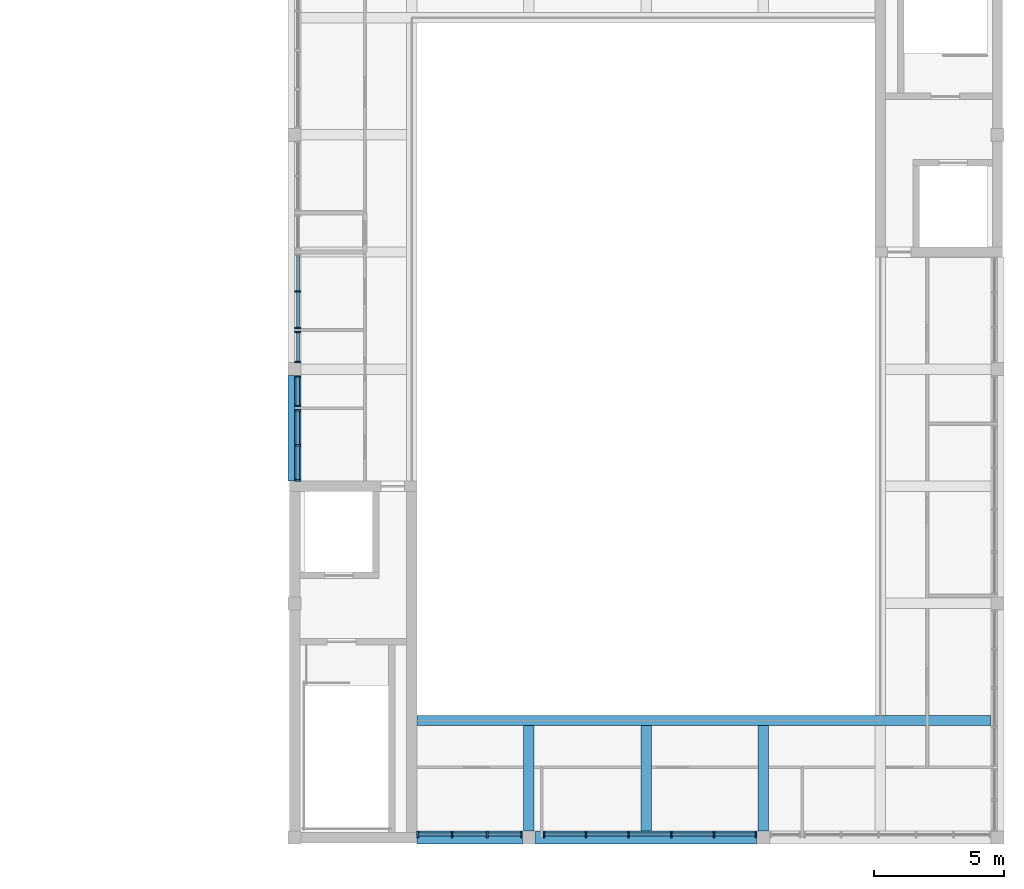
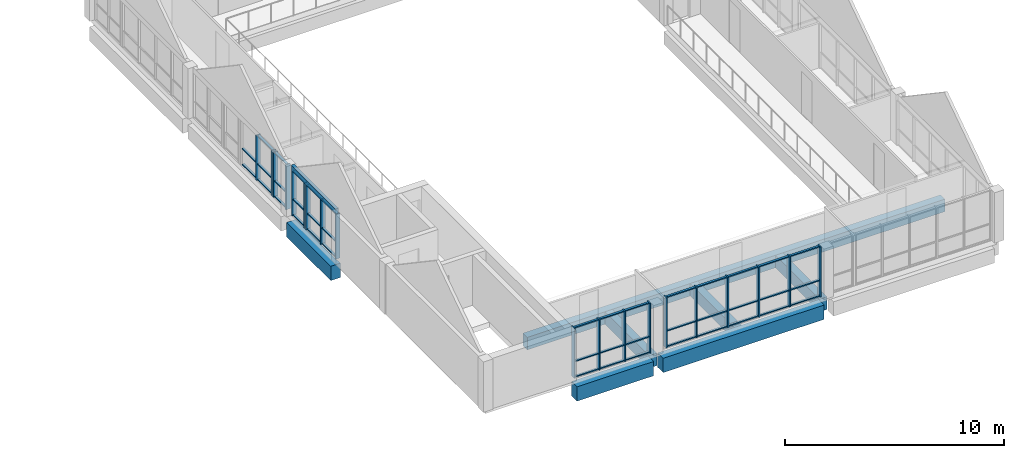
# One storey, part 3 of 50: 60 members, 8 beams, 6 elements without a shape of their own.
"""IFC4 building model written with IfcOpenShell, lengths in metres."""

from ifc_helpers import new_model, si_unit, direction, frame, origin, origin_2d, place, context, subcontext, project, spatial, rectangle, extrude, material, material_profile, profile_set, type_object, element, aggregate, save


model = new_model("IFC4")

# Units and contexts
model_context = context("Model", 3, precision=1e-05, world=origin(), true_north=direction((0.0, 1.0)))
body_context = subcontext(model_context, "Body", "Model", "MODEL_VIEW")
ifc_project = project(units=[si_unit("LENGTHUNIT", "METRE"), si_unit("AREAUNIT", "SQUARE_METRE"), si_unit("VOLUMEUNIT", "CUBIC_METRE"), si_unit("PLANEANGLEUNIT", "RADIAN"), si_unit("MASSUNIT", "GRAM", prefix="KILO")], contexts=[model_context])

# Site, building, storey
site_placement = place(None, origin())
site = spatial("IfcSite", under=ifc_project, at=site_placement, CompositionType="ELEMENT")
building_placement = place(site_placement, origin())
building = spatial("IfcBuilding", under=site, at=building_placement, Name="Merrow Basin Faculty of Sciences", CompositionType="ELEMENT")
storey_placement = place(building_placement, frame((0.0, 0.0, 18.0)))
storey = spatial("IfcBuildingStorey", under=building, at=storey_placement, Name="L04", CompositionType="ELEMENT", Elevation=18.0)

# Curtain wall, members
ifc_material_1 = material(Name="Aluminium alloy 6063", Category="aluminium")
curtain_wall_type = type_object("IfcCurtainWallType", Name="Atrium unitised curtain wall 240", PredefinedType="NOTDEFINED", material=ifc_material_1)
curtain_wall_1_placement = place(storey_placement, origin())
curtain_wall_1 = element("IfcCurtainWall", 1, at=curtain_wall_1_placement, inside=storey, type_object=curtain_wall_type, Name="W curtain wall L04 1", PredefinedType="NOTDEFINED")
ifc_material_2 = material(Name="Aluminium alloy 6063", Category="aluminium")
ifc_material_profile_1 = material_profile(ifc_material_2, rectangle(XDim=0.239990234375, YDim=0.06005859375, at=origin_2d()))
ifc_profile_set_1 = profile_set([ifc_material_profile_1], Name="Aluminium alloy 6063")
member_type_1 = type_object("IfcMemberType", Name="Aluminium mullion 60x240", PredefinedType="MULLION", material=ifc_profile_set_1)
member_1_placement = place(storey_placement, frame((45.1201171875, 13.72998046875, 0.0), z_axis=(0.0, 0.0, 1.0), x_axis=(-1.0, 0.0, 0.0)))
member_1 = element("IfcMember", 2, at=member_1_placement, type_object=member_type_1, Name="CW5 mullion 1", PredefinedType="MULLION", context=body_context, shape_type="SweptSolid", body=[
    extrude(rectangle(XDim=0.239990234375, YDim=0.06005859375, at=origin_2d()), origin(), (0.0, 0.0, 1.0), 2.512939453125),
])
member_2_placement = place(storey_placement, frame((45.1201171875, 15.074951171875, 0.0), z_axis=(0.0, 0.0, 1.0), x_axis=(-1.0, 0.0, 0.0)))
member_2 = element("IfcMember", 3, at=member_2_placement, type_object=member_type_1, Name="CW5 mullion 2", PredefinedType="MULLION", context=body_context, shape_type="SweptSolid", body=[
    extrude(rectangle(XDim=0.239990234375, YDim=0.06005859375, at=origin_2d()), origin(), (0.0, 0.0, 1.0), 2.512939453125),
])
member_3_placement = place(storey_placement, frame((45.1201171875, 16.419921875, 0.0), z_axis=(0.0, 0.0, 1.0), x_axis=(-1.0, 0.0, 0.0)))
member_3 = element("IfcMember", 4, at=member_3_placement, type_object=member_type_1, Name="CW5 mullion 3", PredefinedType="MULLION", context=body_context, shape_type="SweptSolid", body=[
    extrude(rectangle(XDim=0.239990234375, YDim=0.06005859375, at=origin_2d()), origin(), (0.0, 0.0, 1.0), 2.512939453125),
])

curtain_wall_2_placement = place(storey_placement, origin())
curtain_wall_2 = element("IfcCurtainWall", 5, at=curtain_wall_2_placement, inside=storey, type_object=curtain_wall_type, Name="W curtain wall L04 2", PredefinedType="NOTDEFINED")
member_4_placement = place(storey_placement, frame((45.1201171875, 16.580078125, 0.0), z_axis=(0.0, 0.0, 1.0), x_axis=(-1.0, 0.0, 0.0)))
member_4 = element("IfcMember", 6, at=member_4_placement, type_object=member_type_1, Name="CW5 mullion 1", PredefinedType="MULLION", context=body_context, shape_type="SweptSolid", body=[
    extrude(rectangle(XDim=0.239990234375, YDim=0.06005859375, at=origin_2d()), origin(), (0.0, 0.0, 1.0), 2.512939453125),
])
member_5_placement = place(storey_placement, frame((45.1201171875, 17.719970703125, 0.0), z_axis=(0.0, 0.0, 1.0), x_axis=(-1.0, 0.0, 0.0)))
member_5 = element("IfcMember", 7, at=member_5_placement, type_object=member_type_1, Name="CW5 mullion 2", PredefinedType="MULLION", context=body_context, shape_type="SweptSolid", body=[
    extrude(rectangle(XDim=0.239990234375, YDim=0.06005859375, at=origin_2d()), origin(), (0.0, 0.0, 1.0), 2.512939453125),
])

curtain_wall_3_placement = place(storey_placement, origin())
curtain_wall_3 = element("IfcCurtainWall", 8, at=curtain_wall_3_placement, inside=storey, type_object=curtain_wall_type, Name="W curtain wall L04 3", PredefinedType="NOTDEFINED")
member_6_placement = place(storey_placement, frame((45.1201171875, 18.280029296875, 0.0), z_axis=(0.0, 0.0, 1.0), x_axis=(-1.0, 0.0, 0.0)))
member_6 = element("IfcMember", 9, at=member_6_placement, type_object=member_type_1, Name="CW5 mullion 1", PredefinedType="MULLION", context=body_context, shape_type="SweptSolid", body=[
    extrude(rectangle(XDim=0.239990234375, YDim=0.06005859375, at=origin_2d()), origin(), (0.0, 0.0, 1.0), 2.512939453125),
])
member_7_placement = place(storey_placement, frame((45.1201171875, 19.419921875, 0.0), z_axis=(0.0, 0.0, 1.0), x_axis=(-1.0, 0.0, 0.0)))
member_7 = element("IfcMember", 10, at=member_7_placement, type_object=member_type_1, Name="CW5 mullion 2", PredefinedType="MULLION", context=body_context, shape_type="SweptSolid", body=[
    extrude(rectangle(XDim=0.239990234375, YDim=0.06005859375, at=origin_2d()), origin(), (0.0, 0.0, 1.0), 2.512939453125),
])

curtain_wall_4_placement = place(storey_placement, origin())
curtain_wall_4 = element("IfcCurtainWall", 11, at=curtain_wall_4_placement, inside=storey, type_object=curtain_wall_type, Name="W curtain wall L04 4", PredefinedType="NOTDEFINED")
member_8_placement = place(storey_placement, frame((45.1201171875, 19.580078125, 0.0), z_axis=(0.0, 0.0, 1.0), x_axis=(-1.0, 0.0, 0.0)))
member_8 = element("IfcMember", 12, at=member_8_placement, type_object=member_type_1, Name="CW5 mullion 1", PredefinedType="MULLION", context=body_context, shape_type="SweptSolid", body=[
    extrude(rectangle(XDim=0.239990234375, YDim=0.06005859375, at=origin_2d()), origin(), (0.0, 0.0, 1.0), 2.512939453125),
])
member_9_placement = place(storey_placement, frame((45.1201171875, 20.987548828125, 0.0), z_axis=(0.0, 0.0, 1.0), x_axis=(-1.0, 0.0, 0.0)))
member_9 = element("IfcMember", 13, at=member_9_placement, type_object=member_type_1, Name="CW5 mullion 2", PredefinedType="MULLION", context=body_context, shape_type="SweptSolid", body=[
    extrude(rectangle(XDim=0.239990234375, YDim=0.06005859375, at=origin_2d()), origin(), (0.0, 0.0, 1.0), 2.512939453125),
])

curtain_wall_5_placement = place(storey_placement, origin())
curtain_wall_5 = element("IfcCurtainWall", 14, at=curtain_wall_5_placement, inside=storey, type_object=curtain_wall_type, Name="S curtain wall L04 1", PredefinedType="NOTDEFINED")
member_10_placement = place(storey_placement, frame((49.72998046875, 0.1201171875, 0.0), z_axis=(0.0, 0.0, 1.0), x_axis=(0.0, 1.0, 0.0)))
member_10 = element("IfcMember", 15, at=member_10_placement, type_object=member_type_1, Name="CW5 mullion 1", PredefinedType="MULLION", context=body_context, shape_type="SweptSolid", body=[
    extrude(rectangle(XDim=0.239990234375, YDim=0.06005859375, at=origin_2d()), origin(), (0.0, 0.0, 1.0), 2.81298828125),
])
member_11_placement = place(storey_placement, frame((51.050048828125, 0.1201171875, 0.0), z_axis=(0.0, 0.0, 1.0), x_axis=(0.0, 1.0, 0.0)))
member_11 = element("IfcMember", 16, at=member_11_placement, type_object=member_type_1, Name="CW5 mullion 2", PredefinedType="MULLION", context=body_context, shape_type="SweptSolid", body=[
    extrude(rectangle(XDim=0.239990234375, YDim=0.06005859375, at=origin_2d()), origin(), (0.0, 0.0, 1.0), 2.81298828125),
])
member_12_placement = place(storey_placement, frame((52.39990234375, 0.1201171875, 0.0), z_axis=(0.0, 0.0, 1.0), x_axis=(0.0, 1.0, 0.0)))
member_12 = element("IfcMember", 17, at=member_12_placement, type_object=member_type_1, Name="CW5 mullion 3", PredefinedType="MULLION", context=body_context, shape_type="SweptSolid", body=[
    extrude(rectangle(XDim=0.239990234375, YDim=0.06005859375, at=origin_2d()), origin(), (0.0, 0.0, 1.0), 2.81298828125),
])
member_13_placement = place(storey_placement, frame((53.719970703125, 0.1201171875, 0.0), z_axis=(0.0, 0.0, 1.0), x_axis=(0.0, 1.0, 0.0)))
member_13 = element("IfcMember", 18, at=member_13_placement, type_object=member_type_1, Name="CW5 mullion 4", PredefinedType="MULLION", context=body_context, shape_type="SweptSolid", body=[
    extrude(rectangle(XDim=0.239990234375, YDim=0.06005859375, at=origin_2d()), origin(), (0.0, 0.0, 1.0), 2.81298828125),
])

curtain_wall_6_placement = place(storey_placement, origin())
curtain_wall_6 = element("IfcCurtainWall", 19, at=curtain_wall_6_placement, inside=storey, type_object=curtain_wall_type, Name="S curtain wall L04 2", PredefinedType="NOTDEFINED")
member_14_placement = place(storey_placement, frame((54.580078125, 0.1201171875, 0.0), z_axis=(0.0, 0.0, 1.0), x_axis=(0.0, 1.0, 0.0)))
member_14 = element("IfcMember", 20, at=member_14_placement, type_object=member_type_1, Name="CW5 mullion 1", PredefinedType="MULLION", context=body_context, shape_type="SweptSolid", body=[
    extrude(rectangle(XDim=0.239990234375, YDim=0.06005859375, at=origin_2d()), origin(), (0.0, 0.0, 1.0), 2.81298828125),
])
member_15_placement = place(storey_placement, frame((56.18994140625, 0.1201171875, 0.0), z_axis=(0.0, 0.0, 1.0), x_axis=(0.0, 1.0, 0.0)))
member_15 = element("IfcMember", 21, at=member_15_placement, type_object=member_type_1, Name="CW5 mullion 2", PredefinedType="MULLION", context=body_context, shape_type="SweptSolid", body=[
    extrude(rectangle(XDim=0.239990234375, YDim=0.06005859375, at=origin_2d()), origin(), (0.0, 0.0, 1.0), 2.81298828125),
])
member_16_placement = place(storey_placement, frame((57.830078125, 0.1201171875, 0.0), z_axis=(0.0, 0.0, 1.0), x_axis=(0.0, 1.0, 0.0)))
member_16 = element("IfcMember", 22, at=member_16_placement, type_object=member_type_1, Name="CW5 mullion 3", PredefinedType="MULLION", context=body_context, shape_type="SweptSolid", body=[
    extrude(rectangle(XDim=0.239990234375, YDim=0.06005859375, at=origin_2d()), origin(), (0.0, 0.0, 1.0), 2.81298828125),
])
member_17_placement = place(storey_placement, frame((59.469970703125, 0.1201171875, 0.0), z_axis=(0.0, 0.0, 1.0), x_axis=(0.0, 1.0, 0.0)))
member_17 = element("IfcMember", 23, at=member_17_placement, type_object=member_type_1, Name="CW5 mullion 4", PredefinedType="MULLION", context=body_context, shape_type="SweptSolid", body=[
    extrude(rectangle(XDim=0.239990234375, YDim=0.06005859375, at=origin_2d()), origin(), (0.0, 0.0, 1.0), 2.81298828125),
])
member_18_placement = place(storey_placement, frame((61.110107421875, 0.1201171875, 0.0), z_axis=(0.0, 0.0, 1.0), x_axis=(0.0, 1.0, 0.0)))
member_18 = element("IfcMember", 24, at=member_18_placement, type_object=member_type_1, Name="CW5 mullion 5", PredefinedType="MULLION", context=body_context, shape_type="SweptSolid", body=[
    extrude(rectangle(XDim=0.239990234375, YDim=0.06005859375, at=origin_2d()), origin(), (0.0, 0.0, 1.0), 2.81298828125),
])
member_19_placement = place(storey_placement, frame((62.719970703125, 0.1201171875, 0.0), z_axis=(0.0, 0.0, 1.0), x_axis=(0.0, 1.0, 0.0)))
member_19 = element("IfcMember", 25, at=member_19_placement, type_object=member_type_1, Name="CW5 mullion 6", PredefinedType="MULLION", context=body_context, shape_type="SweptSolid", body=[
    extrude(rectangle(XDim=0.239990234375, YDim=0.06005859375, at=origin_2d()), origin(), (0.0, 0.0, 1.0), 2.81298828125),
])

# Member
ifc_material_3 = material(Name="Aluminium alloy 6063", Category="aluminium")
ifc_material_profile_2 = material_profile(ifc_material_3, rectangle(XDim=0.1201171875, YDim=0.06005859375, at=origin_2d()))
ifc_profile_set_2 = profile_set([ifc_material_profile_2], Name="Aluminium alloy 6063")
member_type_2 = type_object("IfcMemberType", Name="Aluminium transom 60x120", PredefinedType="USERDEFINED", material=ifc_profile_set_2)
member_20_placement = place(storey_placement, frame((45.1201171875, 13.760009765625, 0.030029296875), z_axis=(0.0, 1.0, 0.0), x_axis=(-1.0, 0.0, 0.0)))
member_20 = element("IfcMember", 26, at=member_20_placement, type_object=member_type_2, Name="CW5 transom 1.1", ObjectType="TRANSOM", PredefinedType="USERDEFINED", context=body_context, shape_type="SweptSolid", body=[
    extrude(rectangle(XDim=0.1201171875, YDim=0.06005859375, at=origin_2d()), origin(), (0.0, 0.0, 1.0), 1.284912109375),
])

member_21_placement = place(storey_placement, frame((45.1201171875, 13.760009765625, 0.89990234375), z_axis=(0.0, 1.0, 0.0), x_axis=(-1.0, 0.0, 0.0)))
member_21 = element("IfcMember", 27, at=member_21_placement, type_object=member_type_2, Name="CW5 transom 1.2", ObjectType="TRANSOM", PredefinedType="USERDEFINED", context=body_context, shape_type="SweptSolid", body=[
    extrude(rectangle(XDim=0.1201171875, YDim=0.06005859375, at=origin_2d()), origin(), (0.0, 0.0, 1.0), 1.284912109375),
])

member_22_placement = place(storey_placement, frame((45.1201171875, 13.760009765625, 2.48291015625), z_axis=(0.0, 1.0, 0.0), x_axis=(-1.0, 0.0, 0.0)))
member_22 = element("IfcMember", 28, at=member_22_placement, type_object=member_type_2, Name="CW5 transom 1.3", ObjectType="TRANSOM", PredefinedType="USERDEFINED", context=body_context, shape_type="SweptSolid", body=[
    extrude(rectangle(XDim=0.1201171875, YDim=0.06005859375, at=origin_2d()), origin(), (0.0, 0.0, 1.0), 1.284912109375),
])

member_23_placement = place(storey_placement, frame((45.1201171875, 15.10498046875, 0.030029296875), z_axis=(0.0, 1.0, 0.0), x_axis=(-1.0, 0.0, 0.0)))
member_23 = element("IfcMember", 29, at=member_23_placement, type_object=member_type_2, Name="CW5 transom 2.1", ObjectType="TRANSOM", PredefinedType="USERDEFINED", context=body_context, shape_type="SweptSolid", body=[
    extrude(rectangle(XDim=0.1201171875, YDim=0.06005859375, at=origin_2d()), origin(), (0.0, 0.0, 1.0), 1.284912109375),
])

member_24_placement = place(storey_placement, frame((45.1201171875, 15.10498046875, 0.89990234375), z_axis=(0.0, 1.0, 0.0), x_axis=(-1.0, 0.0, 0.0)))
member_24 = element("IfcMember", 30, at=member_24_placement, type_object=member_type_2, Name="CW5 transom 2.2", ObjectType="TRANSOM", PredefinedType="USERDEFINED", context=body_context, shape_type="SweptSolid", body=[
    extrude(rectangle(XDim=0.1201171875, YDim=0.06005859375, at=origin_2d()), origin(), (0.0, 0.0, 1.0), 1.284912109375),
])

member_25_placement = place(storey_placement, frame((45.1201171875, 15.10498046875, 2.48291015625), z_axis=(0.0, 1.0, 0.0), x_axis=(-1.0, 0.0, 0.0)))
member_25 = element("IfcMember", 31, at=member_25_placement, type_object=member_type_2, Name="CW5 transom 2.3", ObjectType="TRANSOM", PredefinedType="USERDEFINED", context=body_context, shape_type="SweptSolid", body=[
    extrude(rectangle(XDim=0.1201171875, YDim=0.06005859375, at=origin_2d()), origin(), (0.0, 0.0, 1.0), 1.284912109375),
])

aggregate(curtain_wall_1, [member_1, member_2, member_3, member_20, member_21, member_22, member_23, member_24, member_25])

member_26_placement = place(storey_placement, frame((45.1201171875, 16.610107421875, 0.030029296875), z_axis=(0.0, 1.0, 0.0), x_axis=(-1.0, 0.0, 0.0)))
member_26 = element("IfcMember", 32, at=member_26_placement, type_object=member_type_2, Name="CW5 transom 1.1", ObjectType="TRANSOM", PredefinedType="USERDEFINED", context=body_context, shape_type="SweptSolid", body=[
    extrude(rectangle(XDim=0.1201171875, YDim=0.06005859375, at=origin_2d()), origin(), (0.0, 0.0, 1.0), 1.079833984375),
])

member_27_placement = place(storey_placement, frame((45.1201171875, 16.610107421875, 0.89990234375), z_axis=(0.0, 1.0, 0.0), x_axis=(-1.0, 0.0, 0.0)))
member_27 = element("IfcMember", 33, at=member_27_placement, type_object=member_type_2, Name="CW5 transom 1.2", ObjectType="TRANSOM", PredefinedType="USERDEFINED", context=body_context, shape_type="SweptSolid", body=[
    extrude(rectangle(XDim=0.1201171875, YDim=0.06005859375, at=origin_2d()), origin(), (0.0, 0.0, 1.0), 1.079833984375),
])

member_28_placement = place(storey_placement, frame((45.1201171875, 16.610107421875, 2.48291015625), z_axis=(0.0, 1.0, 0.0), x_axis=(-1.0, 0.0, 0.0)))
member_28 = element("IfcMember", 34, at=member_28_placement, type_object=member_type_2, Name="CW5 transom 1.3", ObjectType="TRANSOM", PredefinedType="USERDEFINED", context=body_context, shape_type="SweptSolid", body=[
    extrude(rectangle(XDim=0.1201171875, YDim=0.06005859375, at=origin_2d()), origin(), (0.0, 0.0, 1.0), 1.079833984375),
])

aggregate(curtain_wall_2, [member_4, member_5, member_26, member_27, member_28])

member_29_placement = place(storey_placement, frame((45.1201171875, 18.31005859375, 0.030029296875), z_axis=(0.0, 1.0, 0.0), x_axis=(-1.0, 0.0, 0.0)))
member_29 = element("IfcMember", 35, at=member_29_placement, type_object=member_type_2, Name="CW5 transom 1.1", ObjectType="TRANSOM", PredefinedType="USERDEFINED", context=body_context, shape_type="SweptSolid", body=[
    extrude(rectangle(XDim=0.1201171875, YDim=0.06005859375, at=origin_2d()), origin(), (0.0, 0.0, 1.0), 1.079833984375),
])

member_30_placement = place(storey_placement, frame((45.1201171875, 18.31005859375, 0.89990234375), z_axis=(0.0, 1.0, 0.0), x_axis=(-1.0, 0.0, 0.0)))
member_30 = element("IfcMember", 36, at=member_30_placement, type_object=member_type_2, Name="CW5 transom 1.2", ObjectType="TRANSOM", PredefinedType="USERDEFINED", context=body_context, shape_type="SweptSolid", body=[
    extrude(rectangle(XDim=0.1201171875, YDim=0.06005859375, at=origin_2d()), origin(), (0.0, 0.0, 1.0), 1.079833984375),
])

member_31_placement = place(storey_placement, frame((45.1201171875, 18.31005859375, 2.48291015625), z_axis=(0.0, 1.0, 0.0), x_axis=(-1.0, 0.0, 0.0)))
member_31 = element("IfcMember", 37, at=member_31_placement, type_object=member_type_2, Name="CW5 transom 1.3", ObjectType="TRANSOM", PredefinedType="USERDEFINED", context=body_context, shape_type="SweptSolid", body=[
    extrude(rectangle(XDim=0.1201171875, YDim=0.06005859375, at=origin_2d()), origin(), (0.0, 0.0, 1.0), 1.079833984375),
])

aggregate(curtain_wall_3, [member_6, member_7, member_29, member_30, member_31])

member_32_placement = place(storey_placement, frame((45.1201171875, 19.610107421875, 0.030029296875), z_axis=(0.0, 1.0, 0.0), x_axis=(-1.0, 0.0, 0.0)))
member_32 = element("IfcMember", 38, at=member_32_placement, type_object=member_type_2, Name="CW5 transom 1.1", ObjectType="TRANSOM", PredefinedType="USERDEFINED", context=body_context, shape_type="SweptSolid", body=[
    extrude(rectangle(XDim=0.1201171875, YDim=0.06005859375, at=origin_2d()), origin(), (0.0, 0.0, 1.0), 1.347412109375),
])

member_33_placement = place(storey_placement, frame((45.1201171875, 19.610107421875, 0.89990234375), z_axis=(0.0, 1.0, 0.0), x_axis=(-1.0, 0.0, 0.0)))
member_33 = element("IfcMember", 39, at=member_33_placement, type_object=member_type_2, Name="CW5 transom 1.2", ObjectType="TRANSOM", PredefinedType="USERDEFINED", context=body_context, shape_type="SweptSolid", body=[
    extrude(rectangle(XDim=0.1201171875, YDim=0.06005859375, at=origin_2d()), origin(), (0.0, 0.0, 1.0), 1.347412109375),
])

member_34_placement = place(storey_placement, frame((45.1201171875, 19.610107421875, 2.48291015625), z_axis=(0.0, 1.0, 0.0), x_axis=(-1.0, 0.0, 0.0)))
member_34 = element("IfcMember", 40, at=member_34_placement, type_object=member_type_2, Name="CW5 transom 1.3", ObjectType="TRANSOM", PredefinedType="USERDEFINED", context=body_context, shape_type="SweptSolid", body=[
    extrude(rectangle(XDim=0.1201171875, YDim=0.06005859375, at=origin_2d()), origin(), (0.0, 0.0, 1.0), 1.347412109375),
])

member_35_placement = place(storey_placement, frame((45.1201171875, 21.017578125, 0.030029296875), z_axis=(0.0, 1.0, 0.0), x_axis=(-1.0, 0.0, 0.0)))
member_35 = element("IfcMember", 41, at=member_35_placement, type_object=member_type_2, Name="CW5 transom 2.1", ObjectType="TRANSOM", PredefinedType="USERDEFINED", context=body_context, shape_type="SweptSolid", body=[
    extrude(rectangle(XDim=0.1201171875, YDim=0.06005859375, at=origin_2d()), origin(), (0.0, 0.0, 1.0), 1.347412109375),
])

member_36_placement = place(storey_placement, frame((45.1201171875, 21.017578125, 0.89990234375), z_axis=(0.0, 1.0, 0.0), x_axis=(-1.0, 0.0, 0.0)))
member_36 = element("IfcMember", 42, at=member_36_placement, type_object=member_type_2, Name="CW5 transom 2.2", ObjectType="TRANSOM", PredefinedType="USERDEFINED", context=body_context, shape_type="SweptSolid", body=[
    extrude(rectangle(XDim=0.1201171875, YDim=0.06005859375, at=origin_2d()), origin(), (0.0, 0.0, 1.0), 1.347412109375),
])

aggregate(curtain_wall_4, [member_8, member_9, member_32, member_33, member_34, member_35, member_36])

member_37_placement = place(storey_placement, frame((49.760009765625, 0.1201171875, 0.030029296875), z_axis=(1.0, 0.0, 0.0), x_axis=(0.0, 1.0, 0.0)))
member_37 = element("IfcMember", 43, at=member_37_placement, type_object=member_type_2, Name="CW5 transom 1.1", ObjectType="TRANSOM", PredefinedType="USERDEFINED", context=body_context, shape_type="SweptSolid", body=[
    extrude(rectangle(XDim=0.1201171875, YDim=0.06005859375, at=origin_2d()), origin(), (0.0, 0.0, 1.0), 1.260009765625),
])

member_38_placement = place(storey_placement, frame((49.760009765625, 0.1201171875, 0.89990234375), z_axis=(1.0, 0.0, 0.0), x_axis=(0.0, 1.0, 0.0)))
member_38 = element("IfcMember", 44, at=member_38_placement, type_object=member_type_2, Name="CW5 transom 1.2", ObjectType="TRANSOM", PredefinedType="USERDEFINED", context=body_context, shape_type="SweptSolid", body=[
    extrude(rectangle(XDim=0.1201171875, YDim=0.06005859375, at=origin_2d()), origin(), (0.0, 0.0, 1.0), 1.260009765625),
])

member_39_placement = place(storey_placement, frame((49.760009765625, 0.1201171875, 2.782958984375), z_axis=(1.0, 0.0, 0.0), x_axis=(0.0, 1.0, 0.0)))
member_39 = element("IfcMember", 45, at=member_39_placement, type_object=member_type_2, Name="CW5 transom 1.3", ObjectType="TRANSOM", PredefinedType="USERDEFINED", context=body_context, shape_type="SweptSolid", body=[
    extrude(rectangle(XDim=0.1201171875, YDim=0.06005859375, at=origin_2d()), origin(), (0.0, 0.0, 1.0), 1.260009765625),
])

member_40_placement = place(storey_placement, frame((51.080078125, 0.1201171875, 0.030029296875), z_axis=(1.0, 0.0, 0.0), x_axis=(0.0, 1.0, 0.0)))
member_40 = element("IfcMember", 46, at=member_40_placement, type_object=member_type_2, Name="CW5 transom 2.1", ObjectType="TRANSOM", PredefinedType="USERDEFINED", context=body_context, shape_type="SweptSolid", body=[
    extrude(rectangle(XDim=0.1201171875, YDim=0.06005859375, at=origin_2d()), origin(), (0.0, 0.0, 1.0), 1.2900390625),
])

member_41_placement = place(storey_placement, frame((51.080078125, 0.1201171875, 0.89990234375), z_axis=(1.0, 0.0, 0.0), x_axis=(0.0, 1.0, 0.0)))
member_41 = element("IfcMember", 47, at=member_41_placement, type_object=member_type_2, Name="CW5 transom 2.2", ObjectType="TRANSOM", PredefinedType="USERDEFINED", context=body_context, shape_type="SweptSolid", body=[
    extrude(rectangle(XDim=0.1201171875, YDim=0.06005859375, at=origin_2d()), origin(), (0.0, 0.0, 1.0), 1.2900390625),
])

member_42_placement = place(storey_placement, frame((51.080078125, 0.1201171875, 2.782958984375), z_axis=(1.0, 0.0, 0.0), x_axis=(0.0, 1.0, 0.0)))
member_42 = element("IfcMember", 48, at=member_42_placement, type_object=member_type_2, Name="CW5 transom 2.3", ObjectType="TRANSOM", PredefinedType="USERDEFINED", context=body_context, shape_type="SweptSolid", body=[
    extrude(rectangle(XDim=0.1201171875, YDim=0.06005859375, at=origin_2d()), origin(), (0.0, 0.0, 1.0), 1.2900390625),
])

member_43_placement = place(storey_placement, frame((52.429931640625, 0.1201171875, 0.030029296875), z_axis=(1.0, 0.0, 0.0), x_axis=(0.0, 1.0, 0.0)))
member_43 = element("IfcMember", 49, at=member_43_placement, type_object=member_type_2, Name="CW5 transom 3.1", ObjectType="TRANSOM", PredefinedType="USERDEFINED", context=body_context, shape_type="SweptSolid", body=[
    extrude(rectangle(XDim=0.1201171875, YDim=0.06005859375, at=origin_2d()), origin(), (0.0, 0.0, 1.0), 1.260009765625),
])

member_44_placement = place(storey_placement, frame((52.429931640625, 0.1201171875, 0.89990234375), z_axis=(1.0, 0.0, 0.0), x_axis=(0.0, 1.0, 0.0)))
member_44 = element("IfcMember", 50, at=member_44_placement, type_object=member_type_2, Name="CW5 transom 3.2", ObjectType="TRANSOM", PredefinedType="USERDEFINED", context=body_context, shape_type="SweptSolid", body=[
    extrude(rectangle(XDim=0.1201171875, YDim=0.06005859375, at=origin_2d()), origin(), (0.0, 0.0, 1.0), 1.260009765625),
])

member_45_placement = place(storey_placement, frame((52.429931640625, 0.1201171875, 2.782958984375), z_axis=(1.0, 0.0, 0.0), x_axis=(0.0, 1.0, 0.0)))
member_45 = element("IfcMember", 51, at=member_45_placement, type_object=member_type_2, Name="CW5 transom 3.3", ObjectType="TRANSOM", PredefinedType="USERDEFINED", context=body_context, shape_type="SweptSolid", body=[
    extrude(rectangle(XDim=0.1201171875, YDim=0.06005859375, at=origin_2d()), origin(), (0.0, 0.0, 1.0), 1.260009765625),
])

aggregate(curtain_wall_5, [member_10, member_11, member_12, member_13, member_37, member_38, member_39, member_40, member_41, member_42, member_43, member_44, member_45])

member_46_placement = place(storey_placement, frame((54.610107421875, 0.1201171875, 0.030029296875), z_axis=(1.0, 0.0, 0.0), x_axis=(0.0, 1.0, 0.0)))
member_46 = element("IfcMember", 52, at=member_46_placement, type_object=member_type_2, Name="CW5 transom 1.1", ObjectType="TRANSOM", PredefinedType="USERDEFINED", context=body_context, shape_type="SweptSolid", body=[
    extrude(rectangle(XDim=0.1201171875, YDim=0.06005859375, at=origin_2d()), origin(), (0.0, 0.0, 1.0), 1.5498046875),
])

member_47_placement = place(storey_placement, frame((54.610107421875, 0.1201171875, 0.89990234375), z_axis=(1.0, 0.0, 0.0), x_axis=(0.0, 1.0, 0.0)))
member_47 = element("IfcMember", 53, at=member_47_placement, type_object=member_type_2, Name="CW5 transom 1.2", ObjectType="TRANSOM", PredefinedType="USERDEFINED", context=body_context, shape_type="SweptSolid", body=[
    extrude(rectangle(XDim=0.1201171875, YDim=0.06005859375, at=origin_2d()), origin(), (0.0, 0.0, 1.0), 1.5498046875),
])

member_48_placement = place(storey_placement, frame((54.610107421875, 0.1201171875, 2.782958984375), z_axis=(1.0, 0.0, 0.0), x_axis=(0.0, 1.0, 0.0)))
member_48 = element("IfcMember", 54, at=member_48_placement, type_object=member_type_2, Name="CW5 transom 1.3", ObjectType="TRANSOM", PredefinedType="USERDEFINED", context=body_context, shape_type="SweptSolid", body=[
    extrude(rectangle(XDim=0.1201171875, YDim=0.06005859375, at=origin_2d()), origin(), (0.0, 0.0, 1.0), 1.5498046875),
])

member_49_placement = place(storey_placement, frame((56.219970703125, 0.1201171875, 0.030029296875), z_axis=(1.0, 0.0, 0.0), x_axis=(0.0, 1.0, 0.0)))
member_49 = element("IfcMember", 55, at=member_49_placement, type_object=member_type_2, Name="CW5 transom 2.1", ObjectType="TRANSOM", PredefinedType="USERDEFINED", context=body_context, shape_type="SweptSolid", body=[
    extrude(rectangle(XDim=0.1201171875, YDim=0.06005859375, at=origin_2d()), origin(), (0.0, 0.0, 1.0), 1.580078125),
])

member_50_placement = place(storey_placement, frame((56.219970703125, 0.1201171875, 0.89990234375), z_axis=(1.0, 0.0, 0.0), x_axis=(0.0, 1.0, 0.0)))
member_50 = element("IfcMember", 56, at=member_50_placement, type_object=member_type_2, Name="CW5 transom 2.2", ObjectType="TRANSOM", PredefinedType="USERDEFINED", context=body_context, shape_type="SweptSolid", body=[
    extrude(rectangle(XDim=0.1201171875, YDim=0.06005859375, at=origin_2d()), origin(), (0.0, 0.0, 1.0), 1.580078125),
])

member_51_placement = place(storey_placement, frame((56.219970703125, 0.1201171875, 2.782958984375), z_axis=(1.0, 0.0, 0.0), x_axis=(0.0, 1.0, 0.0)))
member_51 = element("IfcMember", 57, at=member_51_placement, type_object=member_type_2, Name="CW5 transom 2.3", ObjectType="TRANSOM", PredefinedType="USERDEFINED", context=body_context, shape_type="SweptSolid", body=[
    extrude(rectangle(XDim=0.1201171875, YDim=0.06005859375, at=origin_2d()), origin(), (0.0, 0.0, 1.0), 1.580078125),
])

member_52_placement = place(storey_placement, frame((57.860107421875, 0.1201171875, 0.030029296875), z_axis=(1.0, 0.0, 0.0), x_axis=(0.0, 1.0, 0.0)))
member_52 = element("IfcMember", 58, at=member_52_placement, type_object=member_type_2, Name="CW5 transom 3.1", ObjectType="TRANSOM", PredefinedType="USERDEFINED", context=body_context, shape_type="SweptSolid", body=[
    extrude(rectangle(XDim=0.1201171875, YDim=0.06005859375, at=origin_2d()), origin(), (0.0, 0.0, 1.0), 1.579833984375),
])

member_53_placement = place(storey_placement, frame((57.860107421875, 0.1201171875, 0.89990234375), z_axis=(1.0, 0.0, 0.0), x_axis=(0.0, 1.0, 0.0)))
member_53 = element("IfcMember", 59, at=member_53_placement, type_object=member_type_2, Name="CW5 transom 3.2", ObjectType="TRANSOM", PredefinedType="USERDEFINED", context=body_context, shape_type="SweptSolid", body=[
    extrude(rectangle(XDim=0.1201171875, YDim=0.06005859375, at=origin_2d()), origin(), (0.0, 0.0, 1.0), 1.579833984375),
])

member_54_placement = place(storey_placement, frame((57.860107421875, 0.1201171875, 2.782958984375), z_axis=(1.0, 0.0, 0.0), x_axis=(0.0, 1.0, 0.0)))
member_54 = element("IfcMember", 60, at=member_54_placement, type_object=member_type_2, Name="CW5 transom 3.3", ObjectType="TRANSOM", PredefinedType="USERDEFINED", context=body_context, shape_type="SweptSolid", body=[
    extrude(rectangle(XDim=0.1201171875, YDim=0.06005859375, at=origin_2d()), origin(), (0.0, 0.0, 1.0), 1.579833984375),
])

member_55_placement = place(storey_placement, frame((59.5, 0.1201171875, 0.030029296875), z_axis=(1.0, 0.0, 0.0), x_axis=(0.0, 1.0, 0.0)))
member_55 = element("IfcMember", 61, at=member_55_placement, type_object=member_type_2, Name="CW5 transom 4.1", ObjectType="TRANSOM", PredefinedType="USERDEFINED", context=body_context, shape_type="SweptSolid", body=[
    extrude(rectangle(XDim=0.1201171875, YDim=0.06005859375, at=origin_2d()), origin(), (0.0, 0.0, 1.0), 1.580078125),
])

member_56_placement = place(storey_placement, frame((59.5, 0.1201171875, 0.89990234375), z_axis=(1.0, 0.0, 0.0), x_axis=(0.0, 1.0, 0.0)))
member_56 = element("IfcMember", 62, at=member_56_placement, type_object=member_type_2, Name="CW5 transom 4.2", ObjectType="TRANSOM", PredefinedType="USERDEFINED", context=body_context, shape_type="SweptSolid", body=[
    extrude(rectangle(XDim=0.1201171875, YDim=0.06005859375, at=origin_2d()), origin(), (0.0, 0.0, 1.0), 1.580078125),
])

member_57_placement = place(storey_placement, frame((59.5, 0.1201171875, 2.782958984375), z_axis=(1.0, 0.0, 0.0), x_axis=(0.0, 1.0, 0.0)))
member_57 = element("IfcMember", 63, at=member_57_placement, type_object=member_type_2, Name="CW5 transom 4.3", ObjectType="TRANSOM", PredefinedType="USERDEFINED", context=body_context, shape_type="SweptSolid", body=[
    extrude(rectangle(XDim=0.1201171875, YDim=0.06005859375, at=origin_2d()), origin(), (0.0, 0.0, 1.0), 1.580078125),
])

member_58_placement = place(storey_placement, frame((61.139892578125, 0.1201171875, 0.030029296875), z_axis=(1.0, 0.0, 0.0), x_axis=(0.0, 1.0, 0.0)))
member_58 = element("IfcMember", 64, at=member_58_placement, type_object=member_type_2, Name="CW5 transom 5.1", ObjectType="TRANSOM", PredefinedType="USERDEFINED", context=body_context, shape_type="SweptSolid", body=[
    extrude(rectangle(XDim=0.1201171875, YDim=0.06005859375, at=origin_2d()), origin(), (0.0, 0.0, 1.0), 1.550048828125),
])

member_59_placement = place(storey_placement, frame((61.139892578125, 0.1201171875, 0.89990234375), z_axis=(1.0, 0.0, 0.0), x_axis=(0.0, 1.0, 0.0)))
member_59 = element("IfcMember", 65, at=member_59_placement, type_object=member_type_2, Name="CW5 transom 5.2", ObjectType="TRANSOM", PredefinedType="USERDEFINED", context=body_context, shape_type="SweptSolid", body=[
    extrude(rectangle(XDim=0.1201171875, YDim=0.06005859375, at=origin_2d()), origin(), (0.0, 0.0, 1.0), 1.550048828125),
])

member_60_placement = place(storey_placement, frame((61.139892578125, 0.1201171875, 2.782958984375), z_axis=(1.0, 0.0, 0.0), x_axis=(0.0, 1.0, 0.0)))
member_60 = element("IfcMember", 66, at=member_60_placement, type_object=member_type_2, Name="CW5 transom 5.3", ObjectType="TRANSOM", PredefinedType="USERDEFINED", context=body_context, shape_type="SweptSolid", body=[
    extrude(rectangle(XDim=0.1201171875, YDim=0.06005859375, at=origin_2d()), origin(), (0.0, 0.0, 1.0), 1.550048828125),
])

aggregate(curtain_wall_6, [member_14, member_15, member_16, member_17, member_18, member_19, member_46, member_47, member_48, member_49, member_50, member_51, member_52, member_53, member_54, member_55, member_56, member_57, member_58, member_59, member_60])

# Beams
ifc_material_4 = material(Name="Concrete C40/50", Category="concrete")
ifc_material_profile_3 = material_profile(ifc_material_4, rectangle(XDim=0.5, YDim=0.800048828125, at=origin_2d()))
ifc_profile_set_3 = profile_set([ifc_material_profile_3], Name="Concrete C40/50")
beam_type_1 = type_object("IfcBeamType", Name="Beam RC500x800 C40/50", PredefinedType="BEAM", material=ifc_profile_set_3)
beam_1_placement = place(storey_placement, frame((49.699951171875, 0.0, -0.699951171875), z_axis=(1.0, 0.0, 0.0), x_axis=(0.0, 1.0, 0.0)))
element("IfcBeam", 67, at=beam_1_placement, inside=storey, type_object=beam_type_1, Name="B4 L04 001", PredefinedType="BEAM", context=body_context, shape_type="SweptSolid", body=[
    extrude(rectangle(XDim=0.5, YDim=0.800048828125, at=origin_2d()), origin(), (0.0, 0.0, 1.0), 4.050048828125),
])
beam_2_placement = place(storey_placement, frame((54.25, 0.0, -0.699951171875), z_axis=(1.0, 0.0, 0.0), x_axis=(0.0, 1.0, 0.0)))
element("IfcBeam", 68, at=beam_2_placement, inside=storey, type_object=beam_type_1, Name="B4 L04 002", PredefinedType="BEAM", context=body_context, shape_type="SweptSolid", body=[
    extrude(rectangle(XDim=0.5, YDim=0.800048828125, at=origin_2d()), origin(), (0.0, 0.0, 1.0), 8.5),
])
beam_3_placement = place(storey_placement, frame((45.0, 13.699951171875, -0.699951171875), z_axis=(0.0, 1.0, 0.0), x_axis=(-1.0, 0.0, 0.0)))
element("IfcBeam", 69, at=beam_3_placement, inside=storey, type_object=beam_type_1, Name="B4 L04 007", PredefinedType="BEAM", context=body_context, shape_type="SweptSolid", body=[
    extrude(rectangle(XDim=0.5, YDim=0.800048828125, at=origin_2d()), origin(), (0.0, 0.0, 1.0), 4.050048828125),
])
ifc_material_5 = material(Name="Concrete C40/50", Category="concrete")
ifc_material_profile_4 = material_profile(ifc_material_5, rectangle(XDim=0.39990234375, YDim=0.699951171875, at=origin_2d()))
ifc_profile_set_4 = profile_set([ifc_material_profile_4], Name="Concrete C40/50")
beam_type_2 = type_object("IfcBeamType", Name="Gallery edge beam RC400x700 C40/50", PredefinedType="BEAM", material=ifc_profile_set_4)
beam_4_placement = place(storey_placement, frame((49.699951171875, 4.5, -0.64990234375), z_axis=(1.0, 0.0, 0.0), x_axis=(0.0, 1.0, 0.0)))
element("IfcBeam", 70, at=beam_4_placement, inside=storey, type_object=beam_type_2, Name="GB1 L04 013", PredefinedType="BEAM", context=body_context, shape_type="SweptSolid", body=[
    extrude(rectangle(XDim=0.39990234375, YDim=0.699951171875, at=origin_2d()), origin(), (0.0, 0.0, 1.0), 22.050048828125),
])
for number, where, z_axis, x_axis, name in (
    (71, (54.0, 0.25, -0.64990234375), (0.0, 1.0, 0.0), (-1.0, 0.0, 0.0), "GB1 L04 019"),
    (72, (58.5, 0.25, -0.64990234375), (0.0, 1.0, 0.0), (-1.0, 0.0, 0.0), "GB1 L04 021"),
    (73, (63.0, 0.25, -0.64990234375), (0.0, 1.0, 0.0), (-1.0, 0.0, 0.0), "GB1 L04 023"),
):
    element("IfcBeam", number, at=place(storey_placement, frame(where, z_axis=z_axis, x_axis=x_axis)), inside=storey, type_object=beam_type_2, Name=name, PredefinedType="BEAM", context=body_context, shape_type="SweptSolid", body=[
        extrude(rectangle(XDim=0.39990234375, YDim=0.699951171875, at=origin_2d()), origin(), (0.0, 0.0, 1.0), 4.050048828125),
    ])
ifc_material_6 = material(Name="Concrete C40/50", Category="concrete")
ifc_material_profile_5 = material_profile(ifc_material_6, rectangle(XDim=0.159912109375, YDim=0.300048828125, at=origin_2d()))
ifc_profile_set_5 = profile_set([ifc_material_profile_5], Name="Concrete C40/50")
beam_type_3 = type_object("IfcBeamType", Name="Precast sill beam 160 x 300 Concrete C40/50", PredefinedType="BEAM", material=ifc_profile_set_5)
beam_5_placement = place(storey_placement, frame((45.080078125, 13.699951171875, 2.6630859375), z_axis=(0.0, 1.0, 0.0), x_axis=(-1.0, 0.0, 0.0)))
element("IfcBeam", 74, at=beam_5_placement, inside=storey, type_object=beam_type_3, Name="West frame infill sill beam", PredefinedType="BEAM", context=body_context, shape_type="SweptSolid", body=[
    extrude(rectangle(XDim=0.159912109375, YDim=0.300048828125, at=origin_2d()), origin(), (0.0, 0.0, 1.0), 4.050048828125),
])

save(model, "model.ifc")
